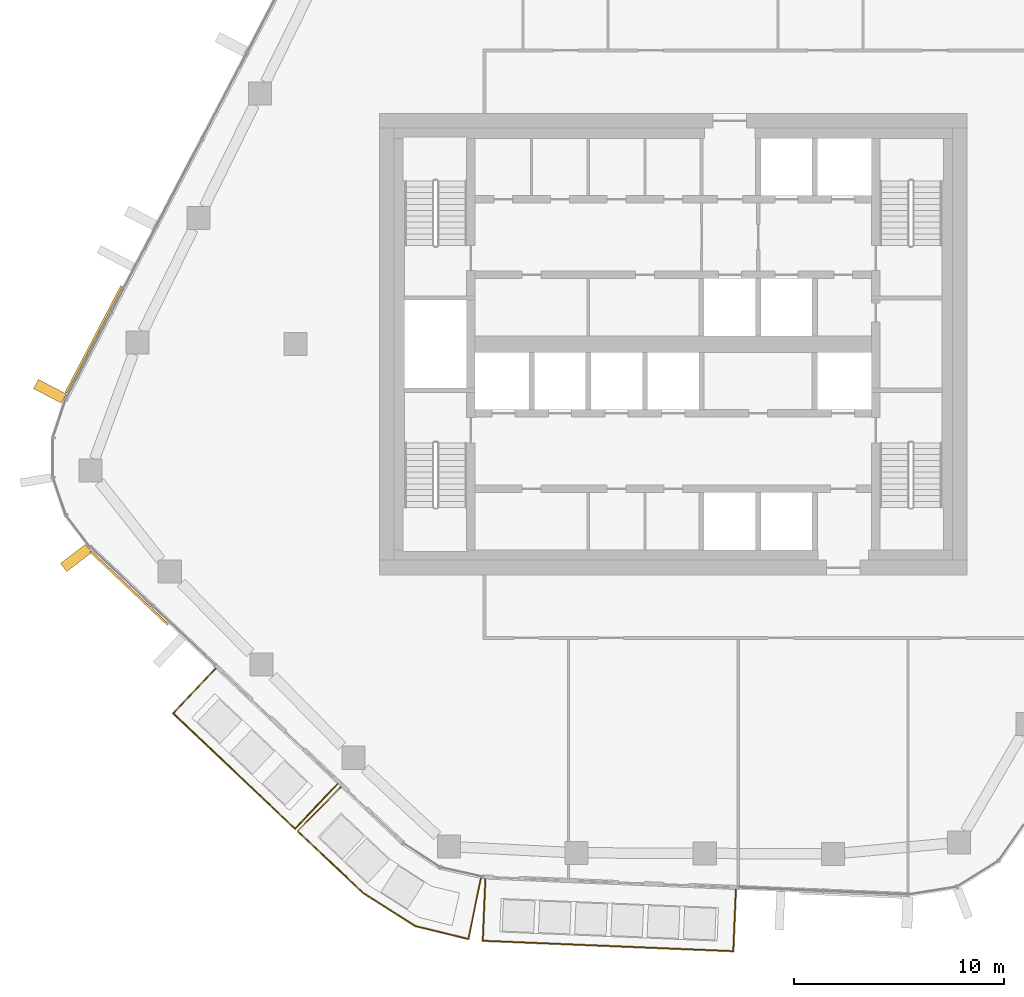
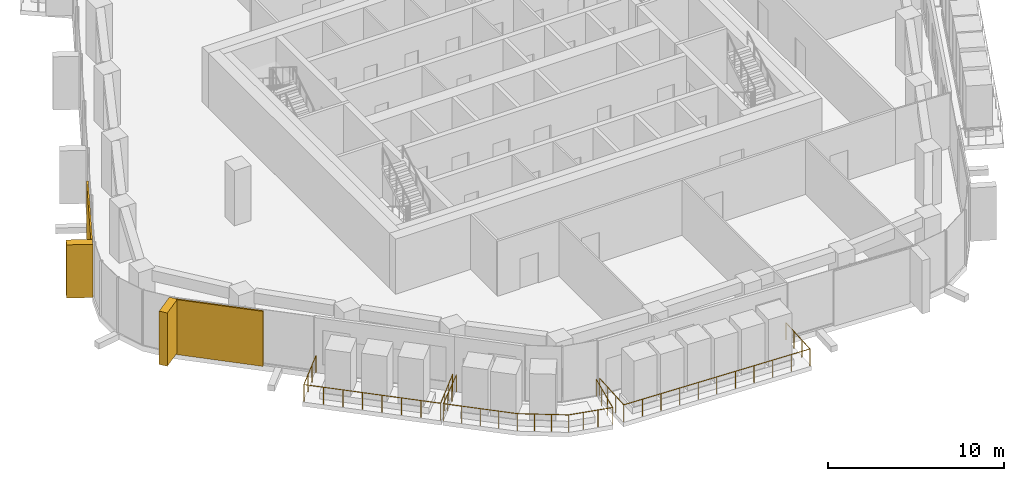
# One storey, part 15 of 20: 4 coverings, 3 railings, 3 elements without a shape of their own.
"""IFC4 building model written with IfcOpenShell, lengths in metres."""

from ifc_helpers import new_model, si_unit, direction, frame, origin, origin_2d, place, context, subcontext, project, spatial, rectangle, circle, extrude, material, layer, layer_set, material_profile, profile_set, type_object, element, aggregate, save


model = new_model("IFC4")

# Units and contexts
model_context = context("Model", 3, precision=1e-05, world=origin(), true_north=direction((0.0, 1.0)))
body_context = subcontext(model_context, "Body", "Model", "MODEL_VIEW")
ifc_project = project(units=[si_unit("LENGTHUNIT", "METRE"), si_unit("AREAUNIT", "SQUARE_METRE"), si_unit("VOLUMEUNIT", "CUBIC_METRE"), si_unit("PLANEANGLEUNIT", "RADIAN"), si_unit("MASSUNIT", "GRAM", prefix="KILO")], contexts=[model_context])

# Site, building, storey
site_placement = place(None, origin())
site = spatial("IfcSite", under=ifc_project, at=site_placement, CompositionType="ELEMENT")
building_placement = place(site_placement, origin())
building = spatial("IfcBuilding", under=site, at=building_placement, Name="Dongbaek Canopy Tower", CompositionType="ELEMENT")
storey_placement = place(building_placement, frame((0.0, 0.0, 245.39990234375)))
storey = spatial("IfcBuildingStorey", under=building, at=storey_placement, Name="L51", CompositionType="ELEMENT", Elevation=245.39990234375)

# Railings
ifc_material_1 = material(Name="Stainless steel", Category="steel")
railing_type = type_object("IfcRailingType", Name="Balcony balustrade 1200", PredefinedType="BALUSTRADE", material=ifc_material_1)
railing_1_placement = place(storey_placement, frame((-21.811767578125, -15.463623046875, 0.0)))
element("IfcRailing", 1, at=railing_1_placement, inside=storey, type_object=railing_type, Name="Balcony guard L51 3", PredefinedType="BALUSTRADE", context=body_context, shape_type="SweptSolid", body=[
    extrude(circle(Radius=0.02392578125, at=origin_2d()), frame((0.0, 0.0, 1.17578125), z_axis=(-0.687323027636, -0.726351881447, 0.0), x_axis=(0.726351881447, -0.687323027636, 0.0)), (0.0, 0.0, 1.0), 2.93994140625),
    extrude(circle(Radius=0.02392578125, at=origin_2d()), frame((-2.020751953125, -2.135498046875, 1.17578125), z_axis=(0.72637941754, -0.687293926769, 0.0), x_axis=(0.687293926769, 0.72637941754, 0.0)), (0.0, 0.0, 1.0), 7.995361328125),
    extrude(circle(Radius=0.02392578125, at=origin_2d()), frame((3.786865234375, -7.630615234375, 1.17578125), z_axis=(0.687323027636, 0.726351881447, 0.0), x_axis=(-0.726351881447, 0.687323027636, 0.0)), (0.0, 0.0, 1.0), 2.93994140625),
    extrude(circle(Radius=0.02099609375, at=origin_2d()), origin(), (0.0, 0.0, 1.0), 1.15185546875),
    extrude(circle(Radius=0.02099609375, at=origin_2d()), frame((-0.673583984375, -0.7119140625, 0.0)), (0.0, 0.0, 1.0), 1.15185546875),
    extrude(circle(Radius=0.02099609375, at=origin_2d()), frame((-1.34716796875, -1.423583984375, 0.0)), (0.0, 0.0, 1.0), 1.15185546875),
    extrude(circle(Radius=0.02099609375, at=origin_2d()), frame((-2.020751953125, -2.135498046875, 0.0)), (0.0, 0.0, 1.0), 1.15185546875),
    extrude(circle(Radius=0.02099609375, at=origin_2d()), frame((-1.191162109375, -2.92041015625, 0.0)), (0.0, 0.0, 1.0), 1.15185546875),
    extrude(circle(Radius=0.02099609375, at=origin_2d()), frame((-0.361328125, -3.70556640625, 0.0)), (0.0, 0.0, 1.0), 1.15185546875),
    extrude(circle(Radius=0.02099609375, at=origin_2d()), frame((0.46826171875, -4.490478515625, 0.0)), (0.0, 0.0, 1.0), 1.15185546875),
    extrude(circle(Radius=0.02099609375, at=origin_2d()), frame((1.2978515625, -5.275634765625, 0.0)), (0.0, 0.0, 1.0), 1.15185546875),
    extrude(circle(Radius=0.02099609375, at=origin_2d()), frame((2.12744140625, -6.060546875, 0.0)), (0.0, 0.0, 1.0), 1.15185546875),
    extrude(circle(Radius=0.02099609375, at=origin_2d()), frame((2.957275390625, -6.845703125, 0.0)), (0.0, 0.0, 1.0), 1.15185546875),
    extrude(circle(Radius=0.02099609375, at=origin_2d()), frame((3.786865234375, -7.630615234375, 0.0)), (0.0, 0.0, 1.0), 1.15185546875),
    extrude(circle(Radius=0.02099609375, at=origin_2d()), frame((4.46044921875, -6.918701171875, 0.0)), (0.0, 0.0, 1.0), 1.15185546875),
    extrude(circle(Radius=0.02099609375, at=origin_2d()), frame((5.134033203125, -6.20703125, 0.0)), (0.0, 0.0, 1.0), 1.15185546875),
    extrude(circle(Radius=0.02099609375, at=origin_2d()), frame((5.8076171875, -5.4951171875, 0.0)), (0.0, 0.0, 1.0), 1.15185546875),
])
railing_2_placement = place(storey_placement, frame((-15.84423828125, -21.110107421875, 0.0)))
element("IfcRailing", 2, at=railing_2_placement, inside=storey, type_object=railing_type, Name="Balcony guard L51 8", PredefinedType="BALUSTRADE", context=body_context, shape_type="SweptSolid", body=[
    extrude(circle(Radius=0.02392578125, at=origin_2d()), frame((0.0, 0.0, 1.17578125), z_axis=(-0.702024373564, -0.712152918215, 0.0), x_axis=(0.712152918215, -0.702024373564, 0.0)), (0.0, 0.0, 1.0), 2.940673828125),
    extrude(circle(Radius=0.02392578125, at=origin_2d()), frame((-2.064453125, -2.09423828125, 1.17578125), z_axis=(0.728253075317, -0.68530829434, 0.0), x_axis=(0.68530829434, 0.728253075317, 0.0)), (0.0, 0.0, 1.0), 4.320556640625),
    extrude(circle(Radius=0.02392578125, at=origin_2d()), frame((1.08203125, -5.05517578125, 1.17578125), z_axis=(0.843678676666, -0.536848480056, 0.0), x_axis=(0.536848480056, 0.843678676666, 0.0)), (0.0, 0.0, 1.0), 2.924072265625),
    extrude(circle(Radius=0.02392578125, at=origin_2d()), frame((3.549072265625, -6.625, 1.17578125), z_axis=(0.971694868855, -0.236239458687, 0.0), x_axis=(0.236239458687, 0.971694868855, 0.0)), (0.0, 0.0, 1.0), 2.611572265625),
    extrude(circle(Radius=0.02392578125, at=origin_2d()), frame((6.086669921875, -7.241943359375, 1.17578125), z_axis=(0.198845630511, 0.980030823611, 0.0), x_axis=(-0.980030823611, 0.198845630511, 0.0)), (0.0, 0.0, 1.0), 2.940673828125),
    extrude(circle(Radius=0.02099609375, at=origin_2d()), origin(), (0.0, 0.0, 1.0), 1.15185546875),
    extrude(circle(Radius=0.02099609375, at=origin_2d()), frame((-0.688232421875, -0.697998046875, 0.0)), (0.0, 0.0, 1.0), 1.15185546875),
    extrude(circle(Radius=0.02099609375, at=origin_2d()), frame((-1.376220703125, -1.396240234375, 0.0)), (0.0, 0.0, 1.0), 1.15185546875),
    extrude(circle(Radius=0.02099609375, at=origin_2d()), frame((-2.064453125, -2.09423828125, 0.0)), (0.0, 0.0, 1.0), 1.15185546875),
    extrude(circle(Radius=0.02099609375, at=origin_2d()), frame((-1.27783203125, -2.83447265625, 0.0)), (0.0, 0.0, 1.0), 1.15185546875),
    extrude(circle(Radius=0.02099609375, at=origin_2d()), frame((-0.4912109375, -3.57470703125, 0.0)), (0.0, 0.0, 1.0), 1.15185546875),
    extrude(circle(Radius=0.02099609375, at=origin_2d()), frame((0.29541015625, -4.31494140625, 0.0)), (0.0, 0.0, 1.0), 1.15185546875),
    extrude(circle(Radius=0.02099609375, at=origin_2d()), frame((1.08203125, -5.05517578125, 0.0)), (0.0, 0.0, 1.0), 1.15185546875),
    extrude(circle(Radius=0.02099609375, at=origin_2d()), frame((1.904296875, -5.578369140625, 0.0)), (0.0, 0.0, 1.0), 1.15185546875),
    extrude(circle(Radius=0.02099609375, at=origin_2d()), frame((2.726806640625, -6.101806640625, 0.0)), (0.0, 0.0, 1.0), 1.15185546875),
    extrude(circle(Radius=0.02099609375, at=origin_2d()), frame((3.549072265625, -6.625, 0.0)), (0.0, 0.0, 1.0), 1.15185546875),
    extrude(circle(Radius=0.02099609375, at=origin_2d()), frame((4.39501953125, -6.83056640625, 0.0)), (0.0, 0.0, 1.0), 1.15185546875),
    extrude(circle(Radius=0.02099609375, at=origin_2d()), frame((5.24072265625, -7.036376953125, 0.0)), (0.0, 0.0, 1.0), 1.15185546875),
    extrude(circle(Radius=0.02099609375, at=origin_2d()), frame((6.086669921875, -7.241943359375, 0.0)), (0.0, 0.0, 1.0), 1.15185546875),
    extrude(circle(Radius=0.02099609375, at=origin_2d()), frame((6.281494140625, -6.28125, 0.0)), (0.0, 0.0, 1.0), 1.15185546875),
    extrude(circle(Radius=0.02099609375, at=origin_2d()), frame((6.4765625, -5.32080078125, 0.0)), (0.0, 0.0, 1.0), 1.15185546875),
    extrude(circle(Radius=0.02099609375, at=origin_2d()), frame((6.67138671875, -4.360107421875, 0.0)), (0.0, 0.0, 1.0), 1.15185546875),
])
railing_3_placement = place(storey_placement, frame((-8.95556640625, -25.498779296875, 0.0)))
element("IfcRailing", 3, at=railing_3_placement, inside=storey, type_object=railing_type, Name="Balcony guard L51 4", PredefinedType="BALUSTRADE", context=body_context, shape_type="SweptSolid", body=[
    extrude(circle(Radius=0.02392578125, at=origin_2d()), frame((0.0, 0.0, 1.17578125), z_axis=(-0.041520016303, -0.999137672319, 0.0), x_axis=(0.999137672319, -0.041520016303, 0.0)), (0.0, 0.0, 1.0), 2.93994140625),
    extrude(circle(Radius=0.02392578125, at=origin_2d()), frame((-0.1220703125, -2.9375, 1.17578125), z_axis=(0.999138729175, -0.041494576291, 0.0), x_axis=(0.041494576291, 0.999138729175, 0.0)), (0.0, 0.0, 1.0), 11.94970703125),
    extrude(circle(Radius=0.02392578125, at=origin_2d()), frame((11.8173828125, -3.433349609375, 1.17578125), z_axis=(0.041520016303, 0.999137672319, 0.0), x_axis=(-0.999137672319, 0.041520016303, 0.0)), (0.0, 0.0, 1.0), 2.93994140625),
    extrude(circle(Radius=0.02099609375, at=origin_2d()), origin(), (0.0, 0.0, 1.0), 1.15185546875),
    extrude(circle(Radius=0.02099609375, at=origin_2d()), frame((-0.040771484375, -0.979248046875, 0.0)), (0.0, 0.0, 1.0), 1.15185546875),
    extrude(circle(Radius=0.02099609375, at=origin_2d()), frame((-0.081298828125, -1.958251953125, 0.0)), (0.0, 0.0, 1.0), 1.15185546875),
    extrude(circle(Radius=0.02099609375, at=origin_2d()), frame((-0.1220703125, -2.9375, 0.0)), (0.0, 0.0, 1.0), 1.15185546875),
    extrude(circle(Radius=0.02099609375, at=origin_2d()), frame((1.07177734375, -2.987060546875, 0.0)), (0.0, 0.0, 1.0), 1.15185546875),
    extrude(circle(Radius=0.02099609375, at=origin_2d()), frame((2.265869140625, -3.03662109375, 0.0)), (0.0, 0.0, 1.0), 1.15185546875),
    extrude(circle(Radius=0.02099609375, at=origin_2d()), frame((3.459716796875, -3.086181640625, 0.0)), (0.0, 0.0, 1.0), 1.15185546875),
    extrude(circle(Radius=0.02099609375, at=origin_2d()), frame((4.65380859375, -3.1357421875, 0.0)), (0.0, 0.0, 1.0), 1.15185546875),
    extrude(circle(Radius=0.02099609375, at=origin_2d()), frame((5.84765625, -3.185546875, 0.0)), (0.0, 0.0, 1.0), 1.15185546875),
    extrude(circle(Radius=0.02099609375, at=origin_2d()), frame((7.04150390625, -3.235107421875, 0.0)), (0.0, 0.0, 1.0), 1.15185546875),
    extrude(circle(Radius=0.02099609375, at=origin_2d()), frame((8.235595703125, -3.28466796875, 0.0)), (0.0, 0.0, 1.0), 1.15185546875),
    extrude(circle(Radius=0.02099609375, at=origin_2d()), frame((9.429443359375, -3.334228515625, 0.0)), (0.0, 0.0, 1.0), 1.15185546875),
    extrude(circle(Radius=0.02099609375, at=origin_2d()), frame((10.62353515625, -3.3837890625, 0.0)), (0.0, 0.0, 1.0), 1.15185546875),
    extrude(circle(Radius=0.02099609375, at=origin_2d()), frame((11.8173828125, -3.433349609375, 0.0)), (0.0, 0.0, 1.0), 1.15185546875),
    extrude(circle(Radius=0.02099609375, at=origin_2d()), frame((11.858154296875, -2.4541015625, 0.0)), (0.0, 0.0, 1.0), 1.15185546875),
    extrude(circle(Radius=0.02099609375, at=origin_2d()), frame((11.898681640625, -1.47509765625, 0.0)), (0.0, 0.0, 1.0), 1.15185546875),
    extrude(circle(Radius=0.02099609375, at=origin_2d()), frame((11.939453125, -0.495849609375, 0.0)), (0.0, 0.0, 1.0), 1.15185546875),
])

# Curtain wall, covering
ifc_material_2 = material(Name="Aluminium 6063-T6 pale anodised", Category="aluminium")
ifc_layer_1 = layer(ifc_material_2, 0.199951171875)
ifc_layer_set_1 = layer_set([ifc_layer_1], Name="CW-1 unitised tower curtain wall")
curtain_wall_type = type_object("IfcCurtainWallType", Name="CW-1 unitised tower curtain wall", PredefinedType="NOTDEFINED", material=ifc_layer_set_1)
curtain_wall_1_placement = place(storey_placement, origin())
curtain_wall_1 = element("IfcCurtainWall", 4, at=curtain_wall_1_placement, inside=storey, type_object=curtain_wall_type, Name="CW-1 curtain wall F2.1", PredefinedType="NOTDEFINED")
ifc_material_3 = material(Name="Perforated aluminium 6063-T6 pale metal screen", Category="aluminium")
ifc_layer_2 = layer(ifc_material_3, 0.10009765625)
ifc_layer_set_2 = layer_set([ifc_layer_2], Name="Facet screen FS1 100 pale metal")
covering_type_1 = type_object("IfcCoveringType", Name="Facet screen FS1 100 pale metal", PredefinedType="CLADDING", material=ifc_layer_set_2)
covering_1_placement = place(storey_placement, frame((-27.6240234375, 0.225341796875, 0.0), z_axis=(0.0, 0.0, 1.0), x_axis=(-0.463648649911, -0.88601914733, 0.0)))
covering_1 = element("IfcCovering", 5, at=covering_1_placement, type_object=covering_type_1, Name="Facet screen L51 F2", PredefinedType="CLADDING", context=body_context, shape_type="SweptSolid", body=[
    extrude(rectangle(XDim=5.736328125, YDim=0.10009765625, at=origin_2d()), origin(), (0.0, 0.0, 1.0), 3.820068359375),
])

curtain_wall_2_placement = place(storey_placement, origin())
curtain_wall_2 = element("IfcCurtainWall", 6, at=curtain_wall_2_placement, inside=storey, type_object=curtain_wall_type, Name="CW-1 curtain wall F3.1", PredefinedType="NOTDEFINED")
covering_2_placement = place(storey_placement, frame((-25.926513671875, -11.63330078125, 0.0), z_axis=(0.0, 0.0, 1.0), x_axis=(0.726369576453, -0.687304327357, 0.0)))
covering_2 = element("IfcCovering", 7, at=covering_2_placement, type_object=covering_type_1, Name="Facet screen L51 F3", PredefinedType="CLADDING", context=body_context, shape_type="SweptSolid", body=[
    extrude(rectangle(XDim=5.085693359375, YDim=0.10009765625, at=origin_2d()), origin(), (0.0, 0.0, 1.0), 3.820068359375),
])
aggregate(curtain_wall_2, [covering_2])

# Covering
ifc_material_4 = material(Name="Aluminium 6063-T6 pale metal fin", Category="aluminium")
ifc_material_profile = material_profile(ifc_material_4, rectangle(XDim=1.5, YDim=0.5, at=origin_2d()), Name="Fin FN1 500 x 1500 pale metal")
ifc_profile_set = profile_set([ifc_material_profile], Name="Aluminium 6063-T6 pale metal fin")
covering_type_2 = type_object("IfcCoveringType", Name="Fin FN1 500 x 1500 pale metal", PredefinedType="CLADDING", material=ifc_profile_set)
covering_3_placement = place(storey_placement, frame((-29.712158203125, -2.246337890625, 0.1201171875), z_axis=(0.0, 0.0, 1.0), x_axis=(-0.886019109709, 0.463648721803, 0.0)))
covering_3 = element("IfcCovering", 8, at=covering_3_placement, type_object=covering_type_2, Name="Fin F2.1.7", PredefinedType="CLADDING", context=body_context, shape_type="SweptSolid", body=[
    extrude(rectangle(XDim=1.5, YDim=0.5, at=origin_2d()), origin(), (0.0, 0.0, 1.0), 3.699951171875),
])

aggregate(curtain_wall_1, [covering_3, covering_1])

# Curtain wall, covering
curtain_wall_3_placement = place(storey_placement, origin())
curtain_wall_3 = element("IfcCurtainWall", 9, at=curtain_wall_3_placement, inside=storey, type_object=curtain_wall_type, Name="CW-1 curtain wall K3.1", PredefinedType="NOTDEFINED")
covering_4_placement = place(storey_placement, frame((-28.46044921875, -10.189453125, 0.1201171875), z_axis=(0.0, 0.0, 1.0), x_axis=(-0.795397919328, -0.606087576122, 0.0)))
covering_4 = element("IfcCovering", 10, at=covering_4_placement, type_object=covering_type_2, Name="Fin K3.1.5", PredefinedType="CLADDING", context=body_context, shape_type="SweptSolid", body=[
    extrude(rectangle(XDim=1.5, YDim=0.5, at=origin_2d()), origin(), (0.0, 0.0, 1.0), 3.699951171875),
])
aggregate(curtain_wall_3, [covering_4])

save(model, "model.ifc")
